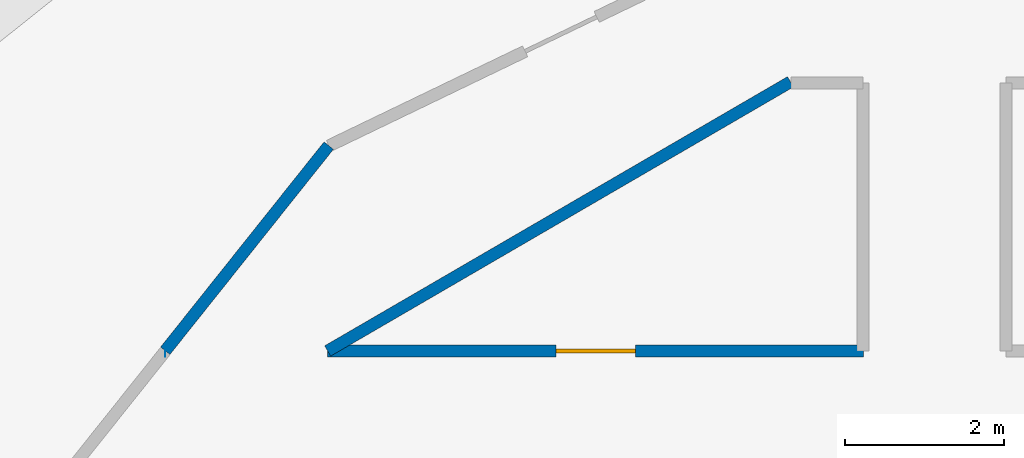
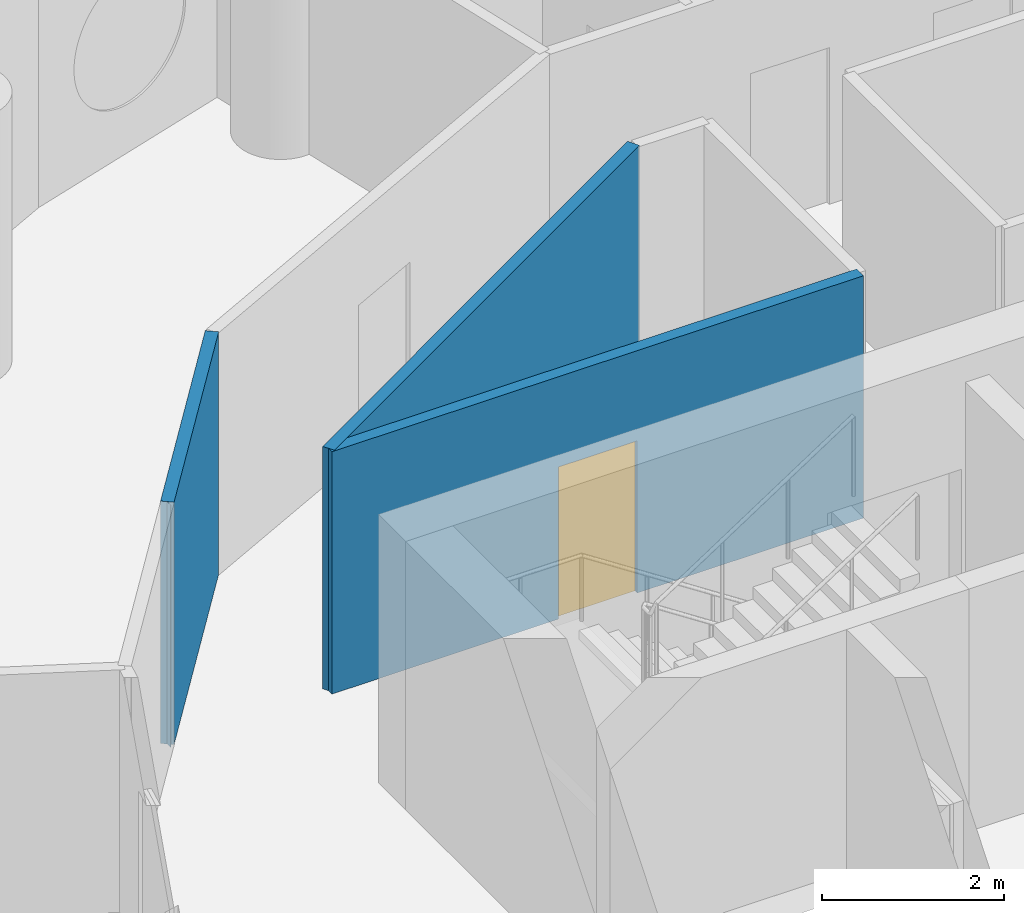
# One storey, part 6 of 12: 4 walls, 1 door, 1 opening.
"""IFC4 building model written with IfcOpenShell, lengths in metres."""

from ifc_helpers import new_model, si_unit, direction, frame, frame_2d, origin, place, context, subcontext, project, spatial, rectangle, extrude, material, layer, layer_set, type_object, element, fill, save


model = new_model("IFC4")

# Units and contexts
model_context = context("Model", 3, precision=1e-05, world=origin(), true_north=direction((0.0, 1.0)))
body_context = subcontext(model_context, "Body", "Model", "MODEL_VIEW")
ifc_project = project(units=[si_unit("LENGTHUNIT", "METRE"), si_unit("AREAUNIT", "SQUARE_METRE"), si_unit("VOLUMEUNIT", "CUBIC_METRE"), si_unit("PLANEANGLEUNIT", "RADIAN"), si_unit("MASSUNIT", "GRAM", prefix="KILO")], contexts=[model_context])

# Site, building, storey
site_placement = place(None, origin())
site = spatial("IfcSite", under=ifc_project, at=site_placement, CompositionType="ELEMENT")
building_placement = place(site_placement, origin())
building = spatial("IfcBuilding", under=site, at=building_placement, Name="Tracery Tower", CompositionType="ELEMENT")
storey_placement = place(building_placement, frame((0.0, 0.0, 241.800048828125)))
storey = spatial("IfcBuildingStorey", under=building, at=storey_placement, Name="L62", CompositionType="ELEMENT", Elevation=241.800048828125)

# Wall
ifc_material_1 = material(Name="Plasterboard on steel studs", Category="steel")
ifc_layer = layer(ifc_material_1, 0.14990234375)
ifc_layer_set = layer_set([ifc_layer], Name="Partition 150 corridor wall")
wall_type = type_object("IfcWallType", Name="Partition 150 corridor wall", PredefinedType="PARTITIONING", material=ifc_layer_set)
wall_1_placement = place(storey_placement, frame((-9.092041015625, 8.800048828125, 0.0), z_axis=(0.0, 0.0, 1.0), x_axis=(0.864470922103, 0.502682827277, 0.0)))
element("IfcWall", 1, at=wall_1_placement, inside=storey, type_object=wall_type, Name="Corridor wall RC2-001", PredefinedType="PARTITIONING", context=body_context, shape_type="SweptSolid", body=[
    extrude(rectangle(XDim=6.7353515625, YDim=0.14990234375, at=frame_2d((3.36767578125, 0.0))), origin(), (0.0, 0.0, 1.0), 3.25),
])

# Wall, opening, door
wall_2_placement = place(storey_placement, frame((-9.092041015625, 8.800048828125, 0.0), z_axis=(0.0, 0.0, 1.0), x_axis=(1.0, 0.0, 0.0)))
wall_2 = element("IfcWall", 2, at=wall_2_placement, inside=storey, type_object=wall_type, Name="Corridor wall RC2-002", PredefinedType="PARTITIONING", context=body_context, shape_type="SweptSolid", body=[
    extrude(rectangle(XDim=6.739990234375, YDim=0.14990234375, at=frame_2d((3.3701171875, 0.0))), origin(), (0.0, 0.0, 1.0), 3.25),
])
opening_placement = place(wall_2_placement, frame((2.8701171875, 0.0, 0.0)))
opening = element("IfcOpeningElement", 3, at=opening_placement, cuts=wall_2, Name="Opening RC2-01", PredefinedType="OPENING", context=body_context, shape_type="SweptSolid", body=[
    extrude(rectangle(XDim=1.0, YDim=2.0400390625, at=frame_2d((0.5, 1.02001953125))), frame((0.0, 0.074951171875, 0.0), z_axis=(0.0, -1.0, 0.0), x_axis=(1.0, 0.0, 0.0)), (0.0, 0.0, 1.0), 0.14990234375),
])
ifc_material_2 = material(Name="Timber door leaf", Category="wood")
door_type = type_object("IfcDoorType", Name="Door communal room 1000", OperationType="NOTDEFINED", PredefinedType="DOOR", material=ifc_material_2)
door_placement = place(opening_placement, origin())
door = element("IfcDoor", 4, at=door_placement, inside=storey, type_object=door_type, Name="Communal room door RC2-01", OperationType="SINGLE_SWING_RIGHT", OverallHeight=2.0400390625, OverallWidth=1.0, PredefinedType="DOOR", context=body_context, shape_type="SweptSolid", body=[
    extrude(rectangle(XDim=1.0, YDim=2.0400390625, at=frame_2d((0.5, 1.02001953125))), frame((0.0, 0.02490234375, 0.0), z_axis=(0.0, -1.0, 0.0), x_axis=(1.0, 0.0, 0.0)), (0.0, 0.0, 1.0), 0.050048828125),
])
fill(opening, door)

# Walls
wall_3_placement = place(storey_placement, frame((-11.134033203125, 8.800048828125, 0.0), z_axis=(0.0, 0.0, 1.0), x_axis=(-1.0, 0.0, 0.0)))
element("IfcWall", 5, at=wall_3_placement, inside=storey, type_object=wall_type, Name="Corridor wall RC2-009", PredefinedType="PARTITIONING", context=body_context, shape_type="SweptSolid", body=[
    extrude(rectangle(XDim=0.0029296875, YDim=0.14990234375, at=frame_2d((0.00146484375, 0.0))), origin(), (0.0, 0.0, 1.0), 3.25),
])
wall_4_placement = place(storey_placement, frame((-11.135986328125, 8.802001953125, 0.0), z_axis=(0.0, 0.0, 1.0), x_axis=(0.623151397235, 0.782101231379, 0.0)))
element("IfcWall", 6, at=wall_4_placement, inside=storey, type_object=wall_type, Name="Corridor wall RC2-010", PredefinedType="PARTITIONING", context=body_context, shape_type="SweptSolid", body=[
    extrude(rectangle(XDim=3.30078125, YDim=0.14990234375, at=frame_2d((1.650390625, 0.0))), origin(), (0.0, 0.0, 1.0), 3.25),
])

save(model, "model.ifc")
